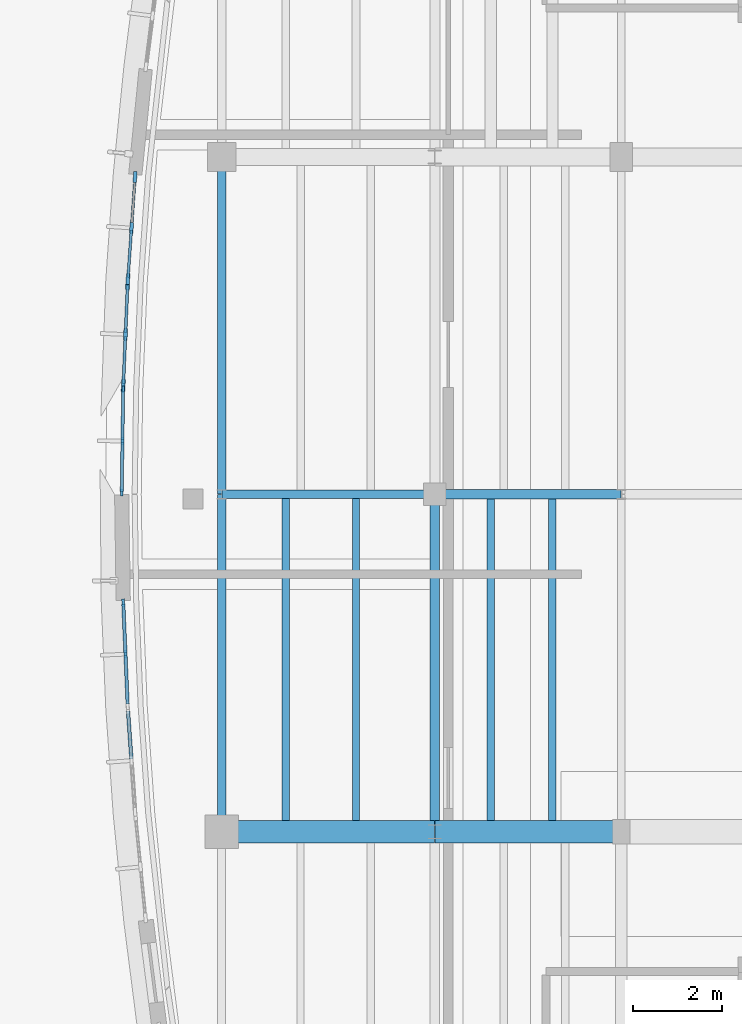
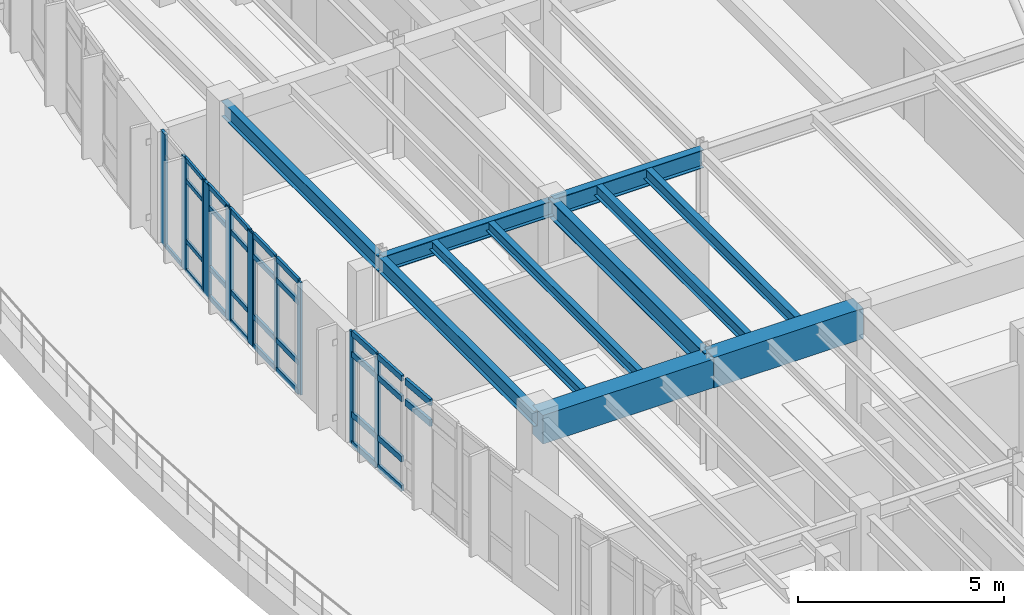
# One storey, part 7 of 20: 42 members, 11 beams, 5 elements without a shape of their own.
"""IFC4 building model written with IfcOpenShell, lengths in metres."""

from ifc_helpers import new_model, si_unit, direction, frame, origin, origin_2d, place, context, subcontext, project, spatial, rectangle, i_section, extrude, material, material_profile, profile_set, type_object, element, aggregate, save


model = new_model("IFC4")

# Units and contexts
model_context = context("Model", 3, precision=1e-05, world=origin(), true_north=direction((0.0, 1.0)))
body_context = subcontext(model_context, "Body", "Model", "MODEL_VIEW")
ifc_project = project(units=[si_unit("LENGTHUNIT", "METRE"), si_unit("AREAUNIT", "SQUARE_METRE"), si_unit("VOLUMEUNIT", "CUBIC_METRE"), si_unit("PLANEANGLEUNIT", "RADIAN"), si_unit("MASSUNIT", "GRAM", prefix="KILO")], contexts=[model_context])

# Site, building, storey
site_placement = place(None, origin())
site = spatial("IfcSite", under=ifc_project, at=site_placement, CompositionType="ELEMENT")
building_placement = place(site_placement, origin())
building = spatial("IfcBuilding", under=site, at=building_placement, Name="Corveleigh Park Community Centre", CompositionType="ELEMENT")
storey_placement = place(building_placement, frame((0.0, 0.0, 16.199951171875)))
storey = spatial("IfcBuildingStorey", under=building, at=storey_placement, Name="L04", CompositionType="ELEMENT", Elevation=16.199951171875)

# Beams
ifc_material_1 = material(Name="Concrete C40/50", Category="concrete")
ifc_material_profile_1 = material_profile(ifc_material_1, rectangle(XDim=0.5, YDim=0.85009765625, at=origin_2d()), Name="RC-500x850", Category="concrete")
ifc_profile_set_1 = profile_set([ifc_material_profile_1], Name="Concrete C40/50")
beam_type_1 = type_object("IfcBeamType", Name="BM-RC-500x850", PredefinedType="BEAM", material=ifc_profile_set_1)
beam_1_placement = place(storey_placement, frame((149.0048828125, 73.800048828125, 2.912109375), z_axis=(1.0, 0.0, 0.0), x_axis=(0.0, 1.0, 0.0)))
element("IfcBeam", 1, at=beam_1_placement, inside=storey, type_object=beam_type_1, Name="V4 Girder X", PredefinedType="BEAM", context=body_context, shape_type="SweptSolid", body=[
    extrude(rectangle(XDim=0.5, YDim=0.85009765625, at=origin_2d()), origin(), (0.0, 0.0, 1.0), 4.7900390625),
])
ifc_material_profile_2 = material_profile(ifc_material_1, rectangle(XDim=0.5, YDim=0.89990234375, at=origin_2d()), Name="RC-500x900", Category="concrete")
ifc_profile_set_2 = profile_set([ifc_material_profile_2], Name="Concrete C40/50")
beam_type_2 = type_object("IfcBeamType", Name="BM-RC-500x900", PredefinedType="BEAM", material=ifc_profile_set_2)
beam_2_placement = place(storey_placement, frame((153.804931640625, 73.800048828125, 2.922119140625), z_axis=(1.0, 0.0, 0.0), x_axis=(0.0, 1.0, 0.0)))
element("IfcBeam", 2, at=beam_2_placement, inside=storey, type_object=beam_type_2, Name="V4 Girder X", PredefinedType="BEAM", context=body_context, shape_type="SweptSolid", body=[
    extrude(rectangle(XDim=0.5, YDim=0.89990234375, at=origin_2d()), origin(), (0.0, 0.0, 1.0), 4.190185546875),
])
ifc_material_2 = material(Name="Steel S355", Category="steel")
ifc_material_profile_3 = material_profile(ifc_material_2, i_section(OverallWidth=0.1669921875, OverallDepth=0.310302734375, WebThickness=0.0078125, FlangeThickness=0.013671875, at=origin_2d()), Name="UKB 305x165x54", Category="steel")
ifc_profile_set_3 = profile_set([ifc_material_profile_3], Name="Steel S355")
beam_type_3 = type_object("IfcBeamType", Name="BM-STL-UKB305x54", PredefinedType="JOIST", material=ifc_profile_set_3)
for number, where, z_axis, x_axis, name in (
    (3, (150.43994140625, 73.804931640625, 3.181884765625), (0.0, 1.0, 0.0), (-1.0, 0.0, 0.0), "Secondary floor joist"),
    (4, (152.02392578125, 73.804931640625, 3.181884765625), (0.0, 1.0, 0.0), (-1.0, 0.0, 0.0), "Secondary floor joist"),
):
    element("IfcBeam", number, at=place(storey_placement, frame(where, z_axis=z_axis, x_axis=x_axis)), inside=storey, type_object=beam_type_3, Name=name, PredefinedType="JOIST", context=body_context, shape_type="SweptSolid", body=[
        extrude(i_section(OverallWidth=0.1669921875, OverallDepth=0.310302734375, WebThickness=0.0078125, FlangeThickness=0.013671875, at=origin_2d()), origin(), (0.0, 0.0, 1.0), 7.590087890625),
    ])
ifc_material_profile_4 = material_profile(ifc_material_2, i_section(OverallWidth=0.171142578125, OverallDepth=0.351318359375, WebThickness=0.007080078125, FlangeThickness=0.009765625, at=origin_2d()), Name="UKB 356x171x45", Category="steel")
ifc_profile_set_4 = profile_set([ifc_material_profile_4], Name="Steel S355")
beam_type_4 = type_object("IfcBeamType", Name="BM-STL-UKB356x45", PredefinedType="JOIST", material=ifc_profile_set_4)
for number, where, z_axis, x_axis, name in (
    (5, (155.06005859375, 73.804931640625, 3.1962890625), (0.0, 1.0, 0.0), (-1.0, 0.0, 0.0), "Secondary floor joist"),
    (6, (156.446044921875, 73.804931640625, 3.1962890625), (0.0, 1.0, 0.0), (-1.0, 0.0, 0.0), "Secondary floor joist"),
):
    element("IfcBeam", number, at=place(storey_placement, frame(where, z_axis=z_axis, x_axis=x_axis)), inside=storey, type_object=beam_type_4, Name=name, PredefinedType="JOIST", context=body_context, shape_type="SweptSolid", body=[
        extrude(i_section(OverallWidth=0.171142578125, OverallDepth=0.351318359375, WebThickness=0.007080078125, FlangeThickness=0.009765625, at=origin_2d()), origin(), (0.0, 0.0, 1.0), 7.590087890625),
    ])
ifc_material_profile_5 = material_profile(ifc_material_2, i_section(OverallWidth=0.18994140625, OverallDepth=0.453369140625, WebThickness=0.008544921875, FlangeThickness=0.0126953125, at=origin_2d()), Name="UKB 457x191x67", Category="steel")
ifc_profile_set_5 = profile_set([ifc_material_profile_5], Name="Steel S355")
beam_type_5 = type_object("IfcBeamType", Name="BM-STL-UKB457x67", PredefinedType="BEAM", material=ifc_profile_set_5)
beam_3_placement = place(storey_placement, frame((149.0, 73.804931640625, 3.1103515625), z_axis=(0.0, 1.0, 0.0), x_axis=(-1.0, 0.0, 0.0)))
element("IfcBeam", 7, at=beam_3_placement, inside=storey, type_object=beam_type_5, Name="V4 Girder Y", PredefinedType="BEAM", context=body_context, shape_type="SweptSolid", body=[
    extrude(i_section(OverallWidth=0.18994140625, OverallDepth=0.453369140625, WebThickness=0.008544921875, FlangeThickness=0.0126953125, at=origin_2d()), origin(), (0.0, 0.0, 1.0), 7.590087890625),
])
ifc_material_profile_6 = material_profile(ifc_material_2, i_section(OverallWidth=0.1904296875, OverallDepth=0.45703125, WebThickness=0.009033203125, FlangeThickness=0.014404296875, at=origin_2d()), Name="UKB 457x191x74", Category="steel")
ifc_profile_set_6 = profile_set([ifc_material_profile_6], Name="Steel S355")
beam_type_6 = type_object("IfcBeamType", Name="BM-STL-UKB457x74", PredefinedType="BEAM", material=ifc_profile_set_6)
beam_4_placement = place(storey_placement, frame((149.0, 81.405029296875, 3.108642578125), z_axis=(0.0, 1.0, 0.0), x_axis=(-1.0, 0.0, 0.0)))
element("IfcBeam", 8, at=beam_4_placement, inside=storey, type_object=beam_type_6, Name="V4 Girder Y", PredefinedType="BEAM", context=body_context, shape_type="SweptSolid", body=[
    extrude(i_section(OverallWidth=0.1904296875, OverallDepth=0.45703125, WebThickness=0.009033203125, FlangeThickness=0.014404296875, at=origin_2d()), origin(), (0.0, 0.0, 1.0), 7.590087890625),
])
ifc_material_profile_7 = material_profile(ifc_material_2, i_section(OverallWidth=0.19189453125, OverallDepth=0.46337890625, WebThickness=0.010498046875, FlangeThickness=0.017578125, at=origin_2d()), Name="UKB 457x191x89", Category="steel")
ifc_profile_set_7 = profile_set([ifc_material_profile_7], Name="Steel S355")
beam_type_7 = type_object("IfcBeamType", Name="BM-STL-UKB457x89", PredefinedType="BEAM", material=ifc_profile_set_7)
beam_5_placement = place(storey_placement, frame((149.0048828125, 81.39990234375, 3.10546875), z_axis=(1.0, 0.0, 0.0), x_axis=(0.0, 1.0, 0.0)))
element("IfcBeam", 9, at=beam_5_placement, inside=storey, type_object=beam_type_7, Name="V4 Girder X", PredefinedType="BEAM", context=body_context, shape_type="SweptSolid", body=[
    extrude(i_section(OverallWidth=0.19189453125, OverallDepth=0.46337890625, WebThickness=0.010498046875, FlangeThickness=0.017578125, at=origin_2d()), origin(), (0.0, 0.0, 1.0), 4.7900390625),
])
ifc_material_profile_8 = material_profile(ifc_material_2, i_section(OverallWidth=0.210693359375, OverallDepth=0.53955078125, WebThickness=0.01171875, FlangeThickness=0.018798828125, at=origin_2d()), Name="UKB 533x210x109", Category="steel")
ifc_profile_set_8 = profile_set([ifc_material_profile_8], Name="Steel S355")
beam_type_8 = type_object("IfcBeamType", Name="BM-STL-UKB533x109", PredefinedType="BEAM", material=ifc_profile_set_8)
beam_6_placement = place(storey_placement, frame((153.800048828125, 73.804931640625, 3.102294921875), z_axis=(0.0, 1.0, 0.0), x_axis=(-1.0, 0.0, 0.0)))
element("IfcBeam", 10, at=beam_6_placement, inside=storey, type_object=beam_type_8, Name="V4 Girder Y", PredefinedType="BEAM", context=body_context, shape_type="SweptSolid", body=[
    extrude(i_section(OverallWidth=0.210693359375, OverallDepth=0.53955078125, WebThickness=0.01171875, FlangeThickness=0.018798828125, at=origin_2d()), origin(), (0.0, 0.0, 1.0), 7.590087890625),
])
ifc_material_profile_9 = material_profile(ifc_material_2, i_section(OverallWidth=0.209228515625, OverallDepth=0.533203125, WebThickness=0.010009765625, FlangeThickness=0.015625, at=origin_2d()), Name="UKB 533x210x92", Category="steel")
ifc_profile_set_9 = profile_set([ifc_material_profile_9], Name="Steel S355")
beam_type_9 = type_object("IfcBeamType", Name="BM-STL-UKB533x92", PredefinedType="BEAM", material=ifc_profile_set_9)
beam_7_placement = place(storey_placement, frame((153.804931640625, 81.39990234375, 3.10546875), z_axis=(1.0, 0.0, 0.0), x_axis=(0.0, 1.0, 0.0)))
element("IfcBeam", 11, at=beam_7_placement, inside=storey, type_object=beam_type_9, Name="V4 Girder X", PredefinedType="BEAM", context=body_context, shape_type="SweptSolid", body=[
    extrude(i_section(OverallWidth=0.209228515625, OverallDepth=0.533203125, WebThickness=0.010009765625, FlangeThickness=0.015625, at=origin_2d()), origin(), (0.0, 0.0, 1.0), 4.190185546875),
])

# Curtain wall, members
ifc_material_3 = material(Name="Anodised aluminium 6063-T6", Category="aluminium")
curtain_wall_type = type_object("IfcCurtainWallType", Name="CW-SYS-V4-L03", PredefinedType="NOTDEFINED", material=ifc_material_3)
curtain_wall_1_placement = place(storey_placement, origin())
curtain_wall_1 = element("IfcCurtainWall", 12, at=curtain_wall_1_placement, inside=storey, type_object=curtain_wall_type, Name="V4 L04 Curtain Wall 463", PredefinedType="NOTDEFINED")
ifc_material_profile_10 = material_profile(ifc_material_3, rectangle(XDim=0.06005859375, YDim=0.159912109375, at=origin_2d()), Name="ALU-M60x160", Category="aluminium")
ifc_profile_set_10 = profile_set([ifc_material_profile_10], Name="Anodised aluminium 6063-T6")
member_type_1 = type_object("IfcMemberType", Name="CWM-60x160", PredefinedType="MULLION", material=ifc_profile_set_10)
member_1_placement = place(storey_placement, frame((146.747314453125, 81.43896484375, 0.0), z_axis=(0.0, 0.0, 1.0), x_axis=(-0.999898231481, 0.01426627775, 0.0)))
member_1 = element("IfcMember", 13, at=member_1_placement, type_object=member_type_1, Name="CW09 mullion 1", PredefinedType="MULLION", context=body_context, shape_type="SweptSolid", body=[
    extrude(rectangle(XDim=0.06005859375, YDim=0.159912109375, at=origin_2d()), origin(), (0.0, 0.0, 1.0), 3.337158203125),
])
member_2_placement = place(storey_placement, frame((146.763916015625, 82.6005859375, 0.0), z_axis=(0.0, 0.0, 1.0), x_axis=(-0.999898231481, 0.01426627775, 0.0)))
member_2 = element("IfcMember", 14, at=member_2_placement, type_object=member_type_1, Name="CW09 mullion 2", PredefinedType="MULLION", context=body_context, shape_type="SweptSolid", body=[
    extrude(rectangle(XDim=0.06005859375, YDim=0.159912109375, at=origin_2d()), origin(), (0.0, 0.0, 1.0), 3.337158203125),
])
member_3_placement = place(storey_placement, frame((146.780517578125, 83.761962890625, 0.0), z_axis=(0.0, 0.0, 1.0), x_axis=(-0.999898231481, 0.01426627775, 0.0)))
member_3 = element("IfcMember", 15, at=member_3_placement, type_object=member_type_1, Name="CW09 mullion 3", PredefinedType="MULLION", context=body_context, shape_type="SweptSolid", body=[
    extrude(rectangle(XDim=0.06005859375, YDim=0.159912109375, at=origin_2d()), origin(), (0.0, 0.0, 1.0), 3.337158203125),
])

curtain_wall_2_placement = place(storey_placement, origin())
curtain_wall_2 = element("IfcCurtainWall", 16, at=curtain_wall_2_placement, inside=storey, type_object=curtain_wall_type, Name="V4 L04 Curtain Wall 464", PredefinedType="NOTDEFINED")
ifc_material_profile_11 = material_profile(ifc_material_3, rectangle(XDim=0.06494140625, YDim=0.179931640625, at=origin_2d()), Name="ALU-M65x180", Category="aluminium")
ifc_profile_set_11 = profile_set([ifc_material_profile_11], Name="Anodised aluminium 6063-T6")
member_type_2 = type_object("IfcMemberType", Name="CWM-65x180", PredefinedType="MULLION", material=ifc_profile_set_11)
member_4_placement = place(storey_placement, frame((146.83203125, 77.799560546875, 0.0), z_axis=(0.0, 0.0, 1.0), x_axis=(-0.99908366495, -0.042799888207, 0.0)))
member_4 = element("IfcMember", 17, at=member_4_placement, type_object=member_type_2, Name="CW09 mullion 2", PredefinedType="MULLION", context=body_context, shape_type="SweptSolid", body=[
    extrude(rectangle(XDim=0.06494140625, YDim=0.179931640625, at=origin_2d()), origin(), (0.0, 0.0, 1.0), 3.337158203125),
])
member_5_placement = place(storey_placement, frame((146.782470703125, 78.95751953125, 0.0), z_axis=(0.0, 0.0, 1.0), x_axis=(-0.99908366495, -0.042799888207, 0.0)))
member_5 = element("IfcMember", 18, at=member_5_placement, type_object=member_type_2, Name="CW09 mullion 3", PredefinedType="MULLION", context=body_context, shape_type="SweptSolid", body=[
    extrude(rectangle(XDim=0.06494140625, YDim=0.179931640625, at=origin_2d()), origin(), (0.0, 0.0, 1.0), 3.337158203125),
])

curtain_wall_3_placement = place(storey_placement, origin())
curtain_wall_3 = element("IfcCurtainWall", 19, at=curtain_wall_3_placement, inside=storey, type_object=curtain_wall_type, Name="V4 L04 Curtain Wall 461", PredefinedType="NOTDEFINED")
ifc_material_profile_12 = material_profile(ifc_material_3, rectangle(XDim=0.080078125, YDim=0.25, at=origin_2d()), Name="ALU-M80x250", Category="aluminium")
ifc_profile_set_12 = profile_set([ifc_material_profile_12], Name="Anodised aluminium 6063-T6")
member_type_3 = type_object("IfcMemberType", Name="CWM-80x250", PredefinedType="MULLION", material=ifc_profile_set_12)
member_6_placement = place(storey_placement, frame((146.88671875, 86.2490234375, 0.0), z_axis=(0.0, 0.0, 1.0), x_axis=(-0.997541102344, 0.070083872142, 0.0)))
member_6 = element("IfcMember", 20, at=member_6_placement, type_object=member_type_3, Name="CW09 mullion 1", PredefinedType="MULLION", context=body_context, shape_type="SweptSolid", body=[
    extrude(rectangle(XDim=0.080078125, YDim=0.25, at=origin_2d()), origin(), (0.0, 0.0, 1.0), 3.337158203125),
])
member_7_placement = place(storey_placement, frame((146.967529296875, 87.3974609375, 0.0), z_axis=(0.0, 0.0, 1.0), x_axis=(-0.997541102344, 0.070083872142, 0.0)))
member_7 = element("IfcMember", 21, at=member_7_placement, type_object=member_type_3, Name="CW09 mullion 2", PredefinedType="MULLION", context=body_context, shape_type="SweptSolid", body=[
    extrude(rectangle(XDim=0.080078125, YDim=0.25, at=origin_2d()), origin(), (0.0, 0.0, 1.0), 3.337158203125),
])
member_8_placement = place(storey_placement, frame((147.048095703125, 88.546142578125, 0.0), z_axis=(0.0, 0.0, 1.0), x_axis=(-0.997541102344, 0.070083872142, 0.0)))
member_8 = element("IfcMember", 22, at=member_8_placement, type_object=member_type_3, Name="CW09 mullion 3", PredefinedType="MULLION", context=body_context, shape_type="SweptSolid", body=[
    extrude(rectangle(XDim=0.080078125, YDim=0.25, at=origin_2d()), origin(), (0.0, 0.0, 1.0), 3.337158203125),
])

curtain_wall_4_placement = place(storey_placement, origin())
curtain_wall_4 = element("IfcCurtainWall", 23, at=curtain_wall_4_placement, inside=storey, type_object=curtain_wall_type, Name="V4 L04 Curtain Wall 462", PredefinedType="NOTDEFINED")
ifc_material_profile_13 = material_profile(ifc_material_3, rectangle(XDim=0.0849609375, YDim=0.27490234375, at=origin_2d()), Name="ALU-M85x275", Category="aluminium")
ifc_profile_set_13 = profile_set([ifc_material_profile_13], Name="Anodised aluminium 6063-T6")
member_type_4 = type_object("IfcMemberType", Name="CWM-85x275", PredefinedType="MULLION", material=ifc_profile_set_13)
member_9_placement = place(storey_placement, frame((146.78271484375, 83.8525390625, 0.0), z_axis=(0.0, 0.0, 1.0), x_axis=(-0.99908366495, 0.042799888207, 0.0)))
member_9 = element("IfcMember", 24, at=member_9_placement, type_object=member_type_4, Name="CW09 mullion 1", PredefinedType="MULLION", context=body_context, shape_type="SweptSolid", body=[
    extrude(rectangle(XDim=0.0849609375, YDim=0.27490234375, at=origin_2d()), origin(), (0.0, 0.0, 1.0), 3.337158203125),
])
member_10_placement = place(storey_placement, frame((146.83203125, 85.00048828125, 0.0), z_axis=(0.0, 0.0, 1.0), x_axis=(-0.99908366495, 0.042799888207, 0.0)))
member_10 = element("IfcMember", 25, at=member_10_placement, type_object=member_type_4, Name="CW09 mullion 2", PredefinedType="MULLION", context=body_context, shape_type="SweptSolid", body=[
    extrude(rectangle(XDim=0.0849609375, YDim=0.27490234375, at=origin_2d()), origin(), (0.0, 0.0, 1.0), 3.337158203125),
])
member_11_placement = place(storey_placement, frame((146.881103515625, 86.1484375, 0.0), z_axis=(0.0, 0.0, 1.0), x_axis=(-0.99908366495, 0.042799888207, 0.0)))
member_11 = element("IfcMember", 26, at=member_11_placement, type_object=member_type_4, Name="CW09 mullion 3", PredefinedType="MULLION", context=body_context, shape_type="SweptSolid", body=[
    extrude(rectangle(XDim=0.0849609375, YDim=0.27490234375, at=origin_2d()), origin(), (0.0, 0.0, 1.0), 3.337158203125),
])

# Member
ifc_material_profile_14 = material_profile(ifc_material_3, rectangle(XDim=0.06005859375, YDim=0.1201171875, at=origin_2d()), Name="ALU-T60x120", Category="aluminium")
ifc_profile_set_14 = profile_set([ifc_material_profile_14], Name="Anodised aluminium 6063-T6")
member_type_5 = type_object("IfcMemberType", Name="CWT-60x120", PredefinedType="USERDEFINED", material=ifc_profile_set_14)
member_12_placement = place(storey_placement, frame((146.8896484375, 86.288818359375, 0.030029296875), z_axis=(0.069951569057, 0.997550388695, 0.0), x_axis=(-0.997550388695, 0.069951569057, 0.0)))
member_12 = element("IfcMember", 27, at=member_12_placement, type_object=member_type_5, Name="CW09 transom 1.1", ObjectType="TRANSOM", PredefinedType="USERDEFINED", context=body_context, shape_type="SweptSolid", body=[
    extrude(rectangle(XDim=0.06005859375, YDim=0.1201171875, at=origin_2d()), origin(), (0.0, 0.0, 1.0), 1.071533203125),
])

member_13_placement = place(storey_placement, frame((146.8896484375, 86.288818359375, 0.900146484375), z_axis=(0.069951569057, 0.997550388695, 0.0), x_axis=(-0.997550388695, 0.069951569057, 0.0)))
member_13 = element("IfcMember", 28, at=member_13_placement, type_object=member_type_5, Name="CW09 transom 1.2", ObjectType="TRANSOM", PredefinedType="USERDEFINED", context=body_context, shape_type="SweptSolid", body=[
    extrude(rectangle(XDim=0.06005859375, YDim=0.1201171875, at=origin_2d()), origin(), (0.0, 0.0, 1.0), 1.071533203125),
])

member_14_placement = place(storey_placement, frame((146.8896484375, 86.288818359375, 2.68701171875), z_axis=(0.069951569057, 0.997550388695, 0.0), x_axis=(-0.997550388695, 0.069951569057, 0.0)))
member_14 = element("IfcMember", 29, at=member_14_placement, type_object=member_type_5, Name="CW09 transom 1.3", ObjectType="TRANSOM", PredefinedType="USERDEFINED", context=body_context, shape_type="SweptSolid", body=[
    extrude(rectangle(XDim=0.06005859375, YDim=0.1201171875, at=origin_2d()), origin(), (0.0, 0.0, 1.0), 1.071533203125),
])

member_15_placement = place(storey_placement, frame((146.8896484375, 86.288818359375, 3.30712890625), z_axis=(0.069951569057, 0.997550388695, 0.0), x_axis=(-0.997550388695, 0.069951569057, 0.0)))
member_15 = element("IfcMember", 30, at=member_15_placement, type_object=member_type_5, Name="CW09 transom 1.4", ObjectType="TRANSOM", PredefinedType="USERDEFINED", context=body_context, shape_type="SweptSolid", body=[
    extrude(rectangle(XDim=0.06005859375, YDim=0.1201171875, at=origin_2d()), origin(), (0.0, 0.0, 1.0), 1.071533203125),
])

member_16_placement = place(storey_placement, frame((146.97021484375, 87.4375, 0.030029296875), z_axis=(0.070194258391, 0.997533340841, 0.0), x_axis=(-0.997533340841, 0.070194258391, 0.0)))
member_16 = element("IfcMember", 31, at=member_16_placement, type_object=member_type_5, Name="CW09 transom 2.1", ObjectType="TRANSOM", PredefinedType="USERDEFINED", context=body_context, shape_type="SweptSolid", body=[
    extrude(rectangle(XDim=0.06005859375, YDim=0.1201171875, at=origin_2d()), origin(), (0.0, 0.0, 1.0), 1.0712890625),
])

aggregate(curtain_wall_3, [member_6, member_7, member_8, member_12, member_13, member_14, member_15, member_16])

ifc_material_profile_15 = material_profile(ifc_material_3, rectangle(XDim=0.06494140625, YDim=0.139892578125, at=origin_2d()), Name="ALU-T65x140", Category="aluminium")
ifc_profile_set_15 = profile_set([ifc_material_profile_15], Name="Anodised aluminium 6063-T6")
member_type_6 = type_object("IfcMemberType", Name="CWT-65x140", PredefinedType="USERDEFINED", material=ifc_profile_set_15)
member_17_placement = place(storey_placement, frame((146.78466796875, 83.89501953125, 0.032470703125), z_axis=(0.042680411656, 0.999088776066, 0.0), x_axis=(-0.999088776066, 0.042680411656, 0.0)))
member_17 = element("IfcMember", 32, at=member_17_placement, type_object=member_type_6, Name="CW09 transom 1.1", ObjectType="TRANSOM", PredefinedType="USERDEFINED", context=body_context, shape_type="SweptSolid", body=[
    extrude(rectangle(XDim=0.06494140625, YDim=0.139892578125, at=origin_2d()), origin(), (0.0, 0.0, 1.0), 1.06396484375),
])

member_18_placement = place(storey_placement, frame((146.78466796875, 83.89501953125, 0.900146484375), z_axis=(0.042680411656, 0.999088776066, 0.0), x_axis=(-0.999088776066, 0.042680411656, 0.0)))
member_18 = element("IfcMember", 33, at=member_18_placement, type_object=member_type_6, Name="CW09 transom 1.2", ObjectType="TRANSOM", PredefinedType="USERDEFINED", context=body_context, shape_type="SweptSolid", body=[
    extrude(rectangle(XDim=0.06494140625, YDim=0.139892578125, at=origin_2d()), origin(), (0.0, 0.0, 1.0), 1.06396484375),
])

member_19_placement = place(storey_placement, frame((146.78466796875, 83.89501953125, 2.68701171875), z_axis=(0.042680411656, 0.999088776066, 0.0), x_axis=(-0.999088776066, 0.042680411656, 0.0)))
member_19 = element("IfcMember", 34, at=member_19_placement, type_object=member_type_6, Name="CW09 transom 1.3", ObjectType="TRANSOM", PredefinedType="USERDEFINED", context=body_context, shape_type="SweptSolid", body=[
    extrude(rectangle(XDim=0.06494140625, YDim=0.139892578125, at=origin_2d()), origin(), (0.0, 0.0, 1.0), 1.06396484375),
])

member_20_placement = place(storey_placement, frame((146.78466796875, 83.89501953125, 3.304443359375), z_axis=(0.042680411656, 0.999088776066, 0.0), x_axis=(-0.999088776066, 0.042680411656, 0.0)))
member_20 = element("IfcMember", 35, at=member_20_placement, type_object=member_type_6, Name="CW09 transom 1.4", ObjectType="TRANSOM", PredefinedType="USERDEFINED", context=body_context, shape_type="SweptSolid", body=[
    extrude(rectangle(XDim=0.06494140625, YDim=0.139892578125, at=origin_2d()), origin(), (0.0, 0.0, 1.0), 1.06396484375),
])

member_21_placement = place(storey_placement, frame((146.833740234375, 85.04296875, 0.032470703125), z_axis=(0.042909454867, 0.999078965189, 0.0), x_axis=(-0.999078965189, 0.042909454867, 0.0)))
member_21 = element("IfcMember", 36, at=member_21_placement, type_object=member_type_6, Name="CW09 transom 2.1", ObjectType="TRANSOM", PredefinedType="USERDEFINED", context=body_context, shape_type="SweptSolid", body=[
    extrude(rectangle(XDim=0.06494140625, YDim=0.139892578125, at=origin_2d()), origin(), (0.0, 0.0, 1.0), 1.06396484375),
])

member_22_placement = place(storey_placement, frame((146.833740234375, 85.04296875, 0.900146484375), z_axis=(0.042909454867, 0.999078965189, 0.0), x_axis=(-0.999078965189, 0.042909454867, 0.0)))
member_22 = element("IfcMember", 37, at=member_22_placement, type_object=member_type_6, Name="CW09 transom 2.2", ObjectType="TRANSOM", PredefinedType="USERDEFINED", context=body_context, shape_type="SweptSolid", body=[
    extrude(rectangle(XDim=0.06494140625, YDim=0.139892578125, at=origin_2d()), origin(), (0.0, 0.0, 1.0), 1.06396484375),
])

member_23_placement = place(storey_placement, frame((146.833740234375, 85.04296875, 2.68701171875), z_axis=(0.042909454867, 0.999078965189, 0.0), x_axis=(-0.999078965189, 0.042909454867, 0.0)))
member_23 = element("IfcMember", 38, at=member_23_placement, type_object=member_type_6, Name="CW09 transom 2.3", ObjectType="TRANSOM", PredefinedType="USERDEFINED", context=body_context, shape_type="SweptSolid", body=[
    extrude(rectangle(XDim=0.06494140625, YDim=0.139892578125, at=origin_2d()), origin(), (0.0, 0.0, 1.0), 1.06396484375),
])

member_24_placement = place(storey_placement, frame((146.833740234375, 85.04296875, 3.304443359375), z_axis=(0.042909454867, 0.999078965189, 0.0), x_axis=(-0.999078965189, 0.042909454867, 0.0)))
member_24 = element("IfcMember", 39, at=member_24_placement, type_object=member_type_6, Name="CW09 transom 2.4", ObjectType="TRANSOM", PredefinedType="USERDEFINED", context=body_context, shape_type="SweptSolid", body=[
    extrude(rectangle(XDim=0.06494140625, YDim=0.139892578125, at=origin_2d()), origin(), (0.0, 0.0, 1.0), 1.06396484375),
])

aggregate(curtain_wall_4, [member_9, member_10, member_11, member_17, member_18, member_19, member_20, member_21, member_22, member_23, member_24])

ifc_material_profile_16 = material_profile(ifc_material_3, rectangle(XDim=0.070068359375, YDim=0.155029296875, at=origin_2d()), Name="ALU-T70x155", Category="aluminium")
ifc_profile_set_16 = profile_set([ifc_material_profile_16], Name="Anodised aluminium 6063-T6")
member_type_7 = type_object("IfcMemberType", Name="CWT-70x155", PredefinedType="USERDEFINED", material=ifc_profile_set_16)
member_25_placement = place(storey_placement, frame((146.747802734375, 81.468994140625, 0.03515625), z_axis=(0.014404533734, 0.999896249322, 0.0), x_axis=(-0.999896249322, 0.014404533734, 0.0)))
member_25 = element("IfcMember", 40, at=member_25_placement, type_object=member_type_7, Name="CW09 transom 1.1", ObjectType="TRANSOM", PredefinedType="USERDEFINED", context=body_context, shape_type="SweptSolid", body=[
    extrude(rectangle(XDim=0.070068359375, YDim=0.155029296875, at=origin_2d()), origin(), (0.0, 0.0, 1.0), 1.1015625),
])

member_26_placement = place(storey_placement, frame((146.747802734375, 81.468994140625, 0.900146484375), z_axis=(0.014404533734, 0.999896249322, 0.0), x_axis=(-0.999896249322, 0.014404533734, 0.0)))
member_26 = element("IfcMember", 41, at=member_26_placement, type_object=member_type_7, Name="CW09 transom 1.2", ObjectType="TRANSOM", PredefinedType="USERDEFINED", context=body_context, shape_type="SweptSolid", body=[
    extrude(rectangle(XDim=0.070068359375, YDim=0.155029296875, at=origin_2d()), origin(), (0.0, 0.0, 1.0), 1.1015625),
])

member_27_placement = place(storey_placement, frame((146.747802734375, 81.468994140625, 2.68701171875), z_axis=(0.014404533734, 0.999896249322, 0.0), x_axis=(-0.999896249322, 0.014404533734, 0.0)))
member_27 = element("IfcMember", 42, at=member_27_placement, type_object=member_type_7, Name="CW09 transom 1.3", ObjectType="TRANSOM", PredefinedType="USERDEFINED", context=body_context, shape_type="SweptSolid", body=[
    extrude(rectangle(XDim=0.070068359375, YDim=0.155029296875, at=origin_2d()), origin(), (0.0, 0.0, 1.0), 1.1015625),
])

member_28_placement = place(storey_placement, frame((146.747802734375, 81.468994140625, 3.302001953125), z_axis=(0.014404533734, 0.999896249322, 0.0), x_axis=(-0.999896249322, 0.014404533734, 0.0)))
member_28 = element("IfcMember", 43, at=member_28_placement, type_object=member_type_7, Name="CW09 transom 1.4", ObjectType="TRANSOM", PredefinedType="USERDEFINED", context=body_context, shape_type="SweptSolid", body=[
    extrude(rectangle(XDim=0.070068359375, YDim=0.155029296875, at=origin_2d()), origin(), (0.0, 0.0, 1.0), 1.1015625),
])

member_29_placement = place(storey_placement, frame((146.764404296875, 82.630615234375, 0.03515625), z_axis=(0.014186113901, 0.999899372023, 0.0), x_axis=(-0.999899372023, 0.014186113901, 0.0)))
member_29 = element("IfcMember", 44, at=member_29_placement, type_object=member_type_7, Name="CW09 transom 2.1", ObjectType="TRANSOM", PredefinedType="USERDEFINED", context=body_context, shape_type="SweptSolid", body=[
    extrude(rectangle(XDim=0.070068359375, YDim=0.155029296875, at=origin_2d()), origin(), (0.0, 0.0, 1.0), 1.101318359375),
])

member_30_placement = place(storey_placement, frame((146.764404296875, 82.630615234375, 0.900146484375), z_axis=(0.014186113901, 0.999899372023, 0.0), x_axis=(-0.999899372023, 0.014186113901, 0.0)))
member_30 = element("IfcMember", 45, at=member_30_placement, type_object=member_type_7, Name="CW09 transom 2.2", ObjectType="TRANSOM", PredefinedType="USERDEFINED", context=body_context, shape_type="SweptSolid", body=[
    extrude(rectangle(XDim=0.070068359375, YDim=0.155029296875, at=origin_2d()), origin(), (0.0, 0.0, 1.0), 1.101318359375),
])

member_31_placement = place(storey_placement, frame((146.764404296875, 82.630615234375, 2.68701171875), z_axis=(0.014186113901, 0.999899372023, 0.0), x_axis=(-0.999899372023, 0.014186113901, 0.0)))
member_31 = element("IfcMember", 46, at=member_31_placement, type_object=member_type_7, Name="CW09 transom 2.3", ObjectType="TRANSOM", PredefinedType="USERDEFINED", context=body_context, shape_type="SweptSolid", body=[
    extrude(rectangle(XDim=0.070068359375, YDim=0.155029296875, at=origin_2d()), origin(), (0.0, 0.0, 1.0), 1.101318359375),
])

member_32_placement = place(storey_placement, frame((146.764404296875, 82.630615234375, 3.302001953125), z_axis=(0.014186113901, 0.999899372023, 0.0), x_axis=(-0.999899372023, 0.014186113901, 0.0)))
member_32 = element("IfcMember", 47, at=member_32_placement, type_object=member_type_7, Name="CW09 transom 2.4", ObjectType="TRANSOM", PredefinedType="USERDEFINED", context=body_context, shape_type="SweptSolid", body=[
    extrude(rectangle(XDim=0.070068359375, YDim=0.155029296875, at=origin_2d()), origin(), (0.0, 0.0, 1.0), 1.101318359375),
])

aggregate(curtain_wall_1, [member_1, member_2, member_3, member_25, member_26, member_27, member_28, member_29, member_30, member_31, member_32])

ifc_material_profile_17 = material_profile(ifc_material_3, rectangle(XDim=0.074951171875, YDim=0.175048828125, at=origin_2d()), Name="ALU-T75x175", Category="aluminium")
ifc_profile_set_17 = profile_set([ifc_material_profile_17], Name="Anodised aluminium 6063-T6")
member_type_8 = type_object("IfcMemberType", Name="CWT-75x175", PredefinedType="USERDEFINED", material=ifc_profile_set_17)
member_33_placement = place(storey_placement, frame((146.880126953125, 76.673828125, 0.03759765625), z_axis=(-0.042614224176, 0.999091601355, 0.0), x_axis=(-0.999091601355, -0.042614224176, 0.0)))
member_33 = element("IfcMember", 48, at=member_33_placement, type_object=member_type_8, Name="CW09 transom 1.1", ObjectType="TRANSOM", PredefinedType="USERDEFINED", context=body_context, shape_type="SweptSolid", body=[
    extrude(rectangle(XDim=0.074951171875, YDim=0.175048828125, at=origin_2d()), origin(), (0.0, 0.0, 1.0), 1.09423828125),
])

member_34_placement = place(storey_placement, frame((146.880126953125, 76.673828125, 0.900146484375), z_axis=(-0.042614224176, 0.999091601355, 0.0), x_axis=(-0.999091601355, -0.042614224176, 0.0)))
member_34 = element("IfcMember", 49, at=member_34_placement, type_object=member_type_8, Name="CW09 transom 1.2", ObjectType="TRANSOM", PredefinedType="USERDEFINED", context=body_context, shape_type="SweptSolid", body=[
    extrude(rectangle(XDim=0.074951171875, YDim=0.175048828125, at=origin_2d()), origin(), (0.0, 0.0, 1.0), 1.09423828125),
])

member_35_placement = place(storey_placement, frame((146.880126953125, 76.673828125, 2.68701171875), z_axis=(-0.042614224176, 0.999091601355, 0.0), x_axis=(-0.999091601355, -0.042614224176, 0.0)))
member_35 = element("IfcMember", 50, at=member_35_placement, type_object=member_type_8, Name="CW09 transom 1.3", ObjectType="TRANSOM", PredefinedType="USERDEFINED", context=body_context, shape_type="SweptSolid", body=[
    extrude(rectangle(XDim=0.074951171875, YDim=0.175048828125, at=origin_2d()), origin(), (0.0, 0.0, 1.0), 1.09423828125),
])

member_36_placement = place(storey_placement, frame((146.880126953125, 76.673828125, 3.299560546875), z_axis=(-0.042614224176, 0.999091601355, 0.0), x_axis=(-0.999091601355, -0.042614224176, 0.0)))
member_36 = element("IfcMember", 51, at=member_36_placement, type_object=member_type_8, Name="CW09 transom 1.4", ObjectType="TRANSOM", PredefinedType="USERDEFINED", context=body_context, shape_type="SweptSolid", body=[
    extrude(rectangle(XDim=0.074951171875, YDim=0.175048828125, at=origin_2d()), origin(), (0.0, 0.0, 1.0), 1.09423828125),
])

member_37_placement = place(storey_placement, frame((146.83056640625, 77.83203125, 0.03759765625), z_axis=(-0.04284647761, 0.999081668011, 0.0), x_axis=(-0.999081668011, -0.04284647761, 0.0)))
member_37 = element("IfcMember", 52, at=member_37_placement, type_object=member_type_8, Name="CW09 transom 2.1", ObjectType="TRANSOM", PredefinedType="USERDEFINED", context=body_context, shape_type="SweptSolid", body=[
    extrude(rectangle(XDim=0.074951171875, YDim=0.175048828125, at=origin_2d()), origin(), (0.0, 0.0, 1.0), 1.093994140625),
])

member_38_placement = place(storey_placement, frame((146.83056640625, 77.83203125, 0.900146484375), z_axis=(-0.04284647761, 0.999081668011, 0.0), x_axis=(-0.999081668011, -0.04284647761, 0.0)))
member_38 = element("IfcMember", 53, at=member_38_placement, type_object=member_type_8, Name="CW09 transom 2.2", ObjectType="TRANSOM", PredefinedType="USERDEFINED", context=body_context, shape_type="SweptSolid", body=[
    extrude(rectangle(XDim=0.074951171875, YDim=0.175048828125, at=origin_2d()), origin(), (0.0, 0.0, 1.0), 1.093994140625),
])

member_39_placement = place(storey_placement, frame((146.83056640625, 77.83203125, 2.68701171875), z_axis=(-0.04284647761, 0.999081668011, 0.0), x_axis=(-0.999081668011, -0.04284647761, 0.0)))
member_39 = element("IfcMember", 54, at=member_39_placement, type_object=member_type_8, Name="CW09 transom 2.3", ObjectType="TRANSOM", PredefinedType="USERDEFINED", context=body_context, shape_type="SweptSolid", body=[
    extrude(rectangle(XDim=0.074951171875, YDim=0.175048828125, at=origin_2d()), origin(), (0.0, 0.0, 1.0), 1.093994140625),
])

member_40_placement = place(storey_placement, frame((146.83056640625, 77.83203125, 3.299560546875), z_axis=(-0.04284647761, 0.999081668011, 0.0), x_axis=(-0.999081668011, -0.04284647761, 0.0)))
member_40 = element("IfcMember", 55, at=member_40_placement, type_object=member_type_8, Name="CW09 transom 2.4", ObjectType="TRANSOM", PredefinedType="USERDEFINED", context=body_context, shape_type="SweptSolid", body=[
    extrude(rectangle(XDim=0.074951171875, YDim=0.175048828125, at=origin_2d()), origin(), (0.0, 0.0, 1.0), 1.093994140625),
])

aggregate(curtain_wall_2, [member_4, member_5, member_33, member_34, member_35, member_36, member_37, member_38, member_39, member_40])

# Curtain wall, members
curtain_wall_5_placement = place(storey_placement, origin())
curtain_wall_5 = element("IfcCurtainWall", 56, at=curtain_wall_5_placement, inside=storey, type_object=curtain_wall_type, Name="V4 L04 Curtain Wall 465", PredefinedType="NOTDEFINED")
ifc_material_profile_18 = material_profile(ifc_material_3, rectangle(XDim=0.080078125, YDim=0.195068359375, at=origin_2d()), Name="ALU-T80x195", Category="aluminium")
ifc_profile_set_18 = profile_set([ifc_material_profile_18], Name="Anodised aluminium 6063-T6")
member_type_9 = type_object("IfcMemberType", Name="CWT-80x195", PredefinedType="USERDEFINED", material=ifc_profile_set_18)
member_41_placement = place(storey_placement, frame((146.965087890625, 75.4375, 2.68701171875), z_axis=(-0.07011312964, 0.99753904638, 0.0), x_axis=(-0.99753904638, -0.07011312964, 0.0)))
member_41 = element("IfcMember", 57, at=member_41_placement, type_object=member_type_9, Name="CW09 transom 2.3", ObjectType="TRANSOM", PredefinedType="USERDEFINED", context=body_context, shape_type="SweptSolid", body=[
    extrude(rectangle(XDim=0.080078125, YDim=0.195068359375, at=origin_2d()), origin(), (0.0, 0.0, 1.0), 1.08642578125),
])
member_42_placement = place(storey_placement, frame((146.965087890625, 75.4375, 3.297119140625), z_axis=(-0.07011312964, 0.99753904638, 0.0), x_axis=(-0.99753904638, -0.07011312964, 0.0)))
member_42 = element("IfcMember", 58, at=member_42_placement, type_object=member_type_9, Name="CW09 transom 2.4", ObjectType="TRANSOM", PredefinedType="USERDEFINED", context=body_context, shape_type="SweptSolid", body=[
    extrude(rectangle(XDim=0.080078125, YDim=0.195068359375, at=origin_2d()), origin(), (0.0, 0.0, 1.0), 1.08642578125),
])
aggregate(curtain_wall_5, [member_41, member_42])

save(model, "model.ifc")
